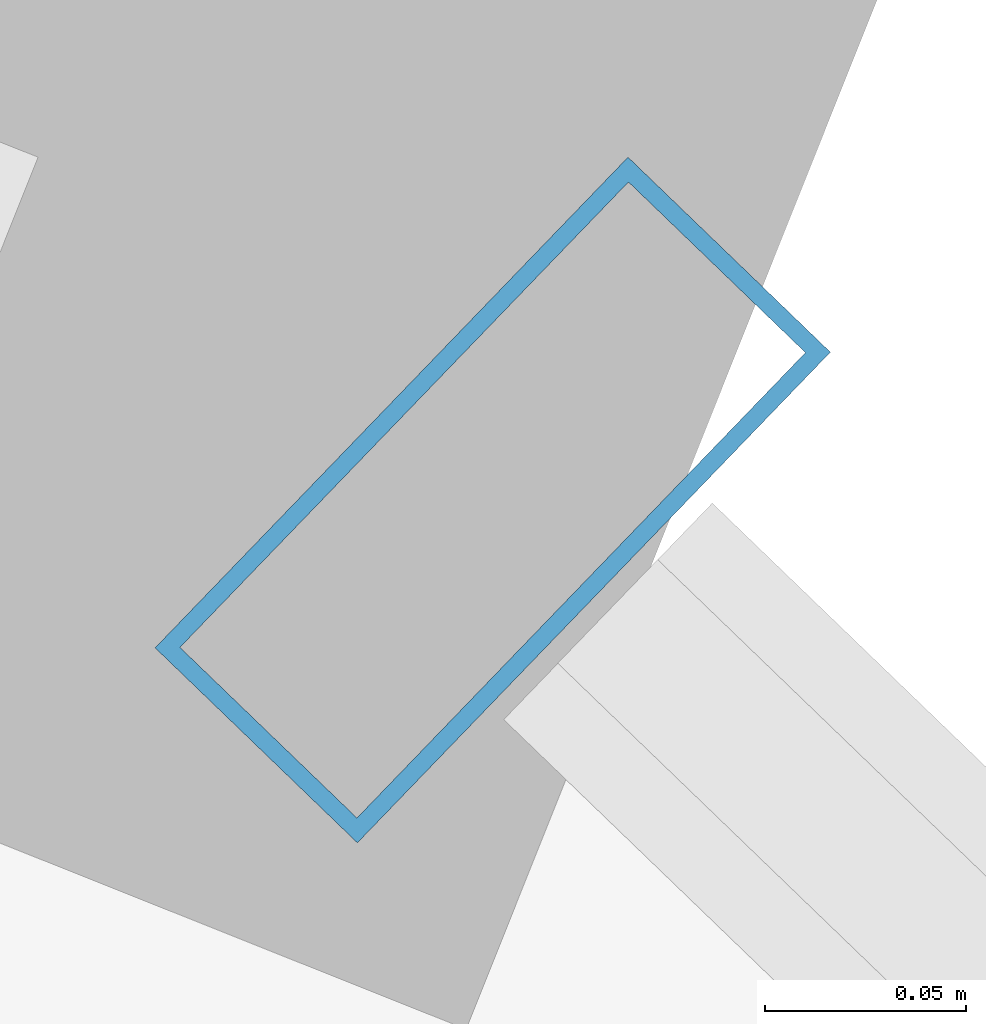
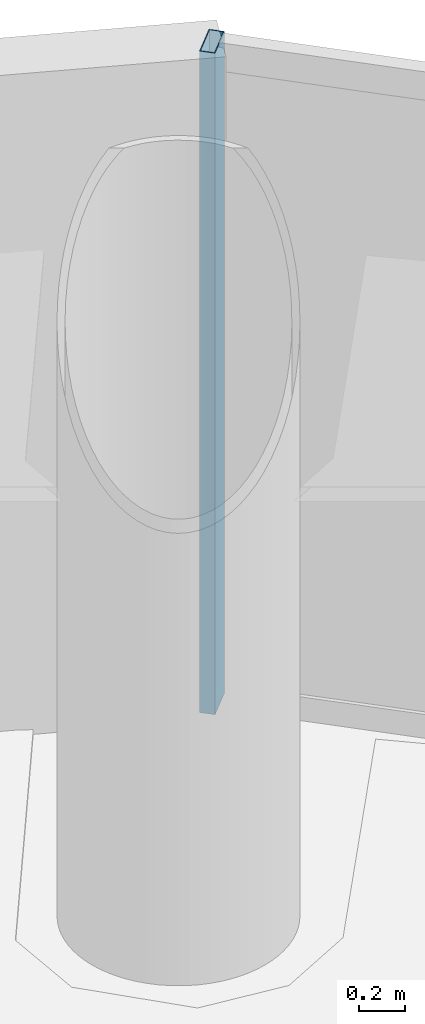
# One storey, part 16 of 24: 1 member, 1 element without a shape of its own.
"""IFC4 building model written with IfcOpenShell, lengths in metres."""

from ifc_helpers import new_model, si_unit, direction, frame, origin, origin_2d, place, context, subcontext, project, spatial, hollow_rectangle, extrude, source, transform, mapped, material, material_profile, profile_set, type_object, element, aggregate, save


model = new_model("IFC4")

# Units and contexts
model_context = context("Model", 3, precision=1e-05, world=origin(), true_north=direction((-0.2419218956, 0.970295726276)))
body_context = subcontext(model_context, "Body", "Model", "MODEL_VIEW")
ifc_project = project(units=[si_unit("LENGTHUNIT", "METRE"), si_unit("AREAUNIT", "SQUARE_METRE"), si_unit("VOLUMEUNIT", "CUBIC_METRE"), si_unit("PLANEANGLEUNIT", "RADIAN"), si_unit("MASSUNIT", "GRAM", prefix="KILO")], contexts=[model_context])

# Site, building, storey
site_placement = place(None, origin())
site = spatial("IfcSite", under=ifc_project, at=site_placement, CompositionType="ELEMENT")
building_placement = place(site_placement, origin())
building = spatial("IfcBuilding", under=site, at=building_placement, Name="Cobrevalo Terracotta Tower", CompositionType="ELEMENT")
storey_placement = place(building_placement, frame((0.0, 0.0, 270.699951171875)))
storey = spatial("IfcBuildingStorey", under=building, at=storey_placement, Name="L71", CompositionType="ELEMENT", Elevation=270.699951171875)

# Curtain wall, member
ifc_material = material(Name="Anodized aluminium", Category="aluminium")
curtain_wall_type = type_object("IfcCurtainWallType", Name="Upper-tower triple-glazed penthouse curtain wall CW-U3", PredefinedType="NOTDEFINED", material=ifc_material)
curtain_wall_placement = place(storey_placement, origin())
curtain_wall = element("IfcCurtainWall", 1, at=curtain_wall_placement, inside=storey, type_object=curtain_wall_type, Name="L71 curtain wall CW-L71-S02", PredefinedType="NOTDEFINED")
ifc_material_profile = material_profile(ifc_material, hollow_rectangle(XDim=0.070068359375, YDim=0.169921875, WallThickness=0.00439453125, at=origin_2d()), Name="CWM 70x170")
ifc_profile_set = profile_set([ifc_material_profile], Name="Anodized aluminium")
member_type = type_object("IfcMemberType", Name="Upper tower unitised mullion 70x170", PredefinedType="MULLION", material=ifc_profile_set)
shared_shape = source(origin(), body_context, "Body", "SweptSolid", [
    extrude(hollow_rectangle(XDim=0.070068359375, YDim=0.169921875, WallThickness=0.00439453125, at=origin_2d()), origin(), (0.0, 0.0, 1.0), 3.489990234375),
])
member_placement = place(storey_placement, frame((48.790283203125, 42.2958984375, 0.0), z_axis=(0.0, 0.0, 1.0), x_axis=(-0.71999418085, 0.69398010025, 0.0)))
member = element("IfcMember", 2, at=member_placement, type_object=member_type, Name="CW-L71-S02 vertical mullion 03", PredefinedType="MULLION", context=body_context, shape_type="MappedRepresentation", body=[
    mapped(shared_shape, transform((0.0, 0.0, 0.0), scale=1.0)),
])
aggregate(curtain_wall, [member])

save(model, "model.ifc")
